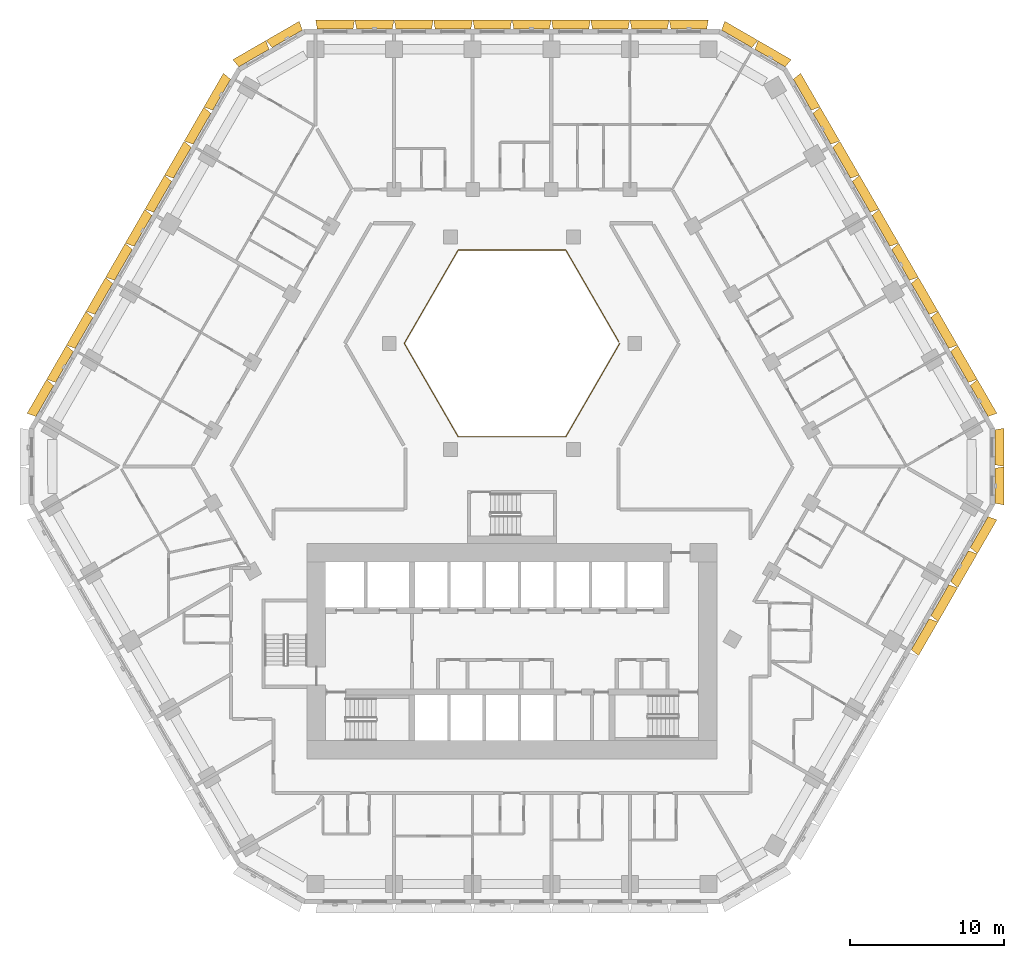
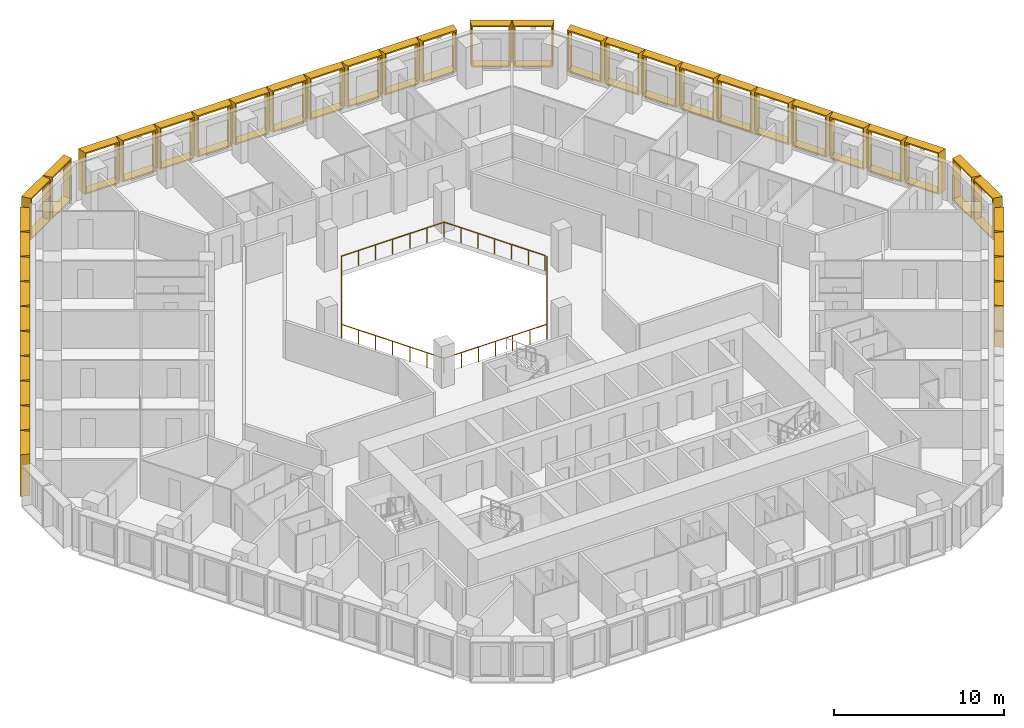
# One storey, part 21 of 21: 40 shading devices, 1 railing.
"""IFC4 building model written with IfcOpenShell, lengths in metres."""

from ifc_helpers import new_model, entity, si_unit, direction, frame, origin, origin_2d, place, context, subcontext, project, spatial, rectangle, extrude, source, transform, mapped, material, type_object, type_shapes, element, save


model = new_model("IFC4")

# Units and contexts
model_context = context("Model", 3, precision=1e-05, world=origin(), true_north=direction((0.0, 1.0)))
body_context = subcontext(model_context, "Body", "Model", "MODEL_VIEW")
ifc_project = project(units=[si_unit("LENGTHUNIT", "METRE"), si_unit("AREAUNIT", "SQUARE_METRE"), si_unit("VOLUMEUNIT", "CUBIC_METRE"), si_unit("PLANEANGLEUNIT", "RADIAN"), si_unit("MASSUNIT", "GRAM", prefix="KILO")], contexts=[model_context])

# Site, building, storey
site_placement = place(None, origin())
site = spatial("IfcSite", under=ifc_project, at=site_placement, CompositionType="ELEMENT")
building_placement = place(site_placement, origin())
building = spatial("IfcBuilding", under=site, at=building_placement, Name="Beryl Residences", CompositionType="ELEMENT")
storey_placement = place(building_placement, frame((0.0, 0.0, 29.39990234375)))
storey = spatial("IfcBuildingStorey", under=building, at=storey_placement, Name="L08", CompositionType="ELEMENT", Elevation=29.39990234375)

# Railing
ifc_material_1 = material(Name="Stainless steel balustrade with glass infill", Category="steel")
railing_type = type_object("IfcRailingType", Name="EG1 edge guard 1100 mm", PredefinedType="GUARDRAIL", material=ifc_material_1)
railing_placement = place(storey_placement, frame((6.9970703125, 8.0, 0.0)))
element("IfcRailing", 1, at=railing_placement, inside=storey, type_object=railing_type, Name="L08 atrium guard", PredefinedType="GUARDRAIL", context=body_context, shape_type="SweptSolid", body=[
    extrude(rectangle(XDim=0.048095703125, YDim=0.048095703125, at=origin_2d()), frame((0.0, 0.0, 1.076171875), z_axis=(-0.499921796684, -0.866070549782, 0.0), x_axis=(0.866070549782, -0.499921796684, 0.0)), (0.0, 0.0, 1.0), 6.9970703125),
    extrude(rectangle(XDim=0.048095703125, YDim=0.048095703125, at=origin_2d()), frame((-3.498046875, -6.06005859375, 1.076171875), z_axis=(-1.0, 0.0, 0.0), x_axis=(0.0, -1.0, 0.0)), (0.0, 0.0, 1.0), 6.998046875),
    extrude(rectangle(XDim=0.048095703125, YDim=0.048095703125, at=origin_2d()), frame((-10.49609375, -6.06005859375, 1.076171875), z_axis=(-0.499921796684, 0.866070549782, 0.0), x_axis=(-0.866070549782, -0.499921796684, 0.0)), (0.0, 0.0, 1.0), 6.9970703125),
    extrude(rectangle(XDim=0.048095703125, YDim=0.048095703125, at=origin_2d()), frame((-13.994140625, 0.0, 1.076171875), z_axis=(0.499921796684, 0.866070549782, 0.0), x_axis=(-0.866070549782, 0.499921796684, 0.0)), (0.0, 0.0, 1.0), 6.9970703125),
    extrude(rectangle(XDim=0.048095703125, YDim=0.048095703125, at=origin_2d()), frame((-10.49609375, 6.06005859375, 1.076171875), z_axis=(1.0, 0.0, 0.0), x_axis=(0.0, 1.0, 0.0)), (0.0, 0.0, 1.0), 6.998046875),
    extrude(rectangle(XDim=0.048095703125, YDim=0.048095703125, at=origin_2d()), frame((-3.498046875, 6.06005859375, 1.076171875), z_axis=(0.499919131929, -0.866072087953, 0.0), x_axis=(0.866072087953, 0.499919131929, 0.0)), (0.0, 0.0, 1.0), 6.877197265625),
    extrude(rectangle(XDim=0.0419921875, YDim=0.0419921875, at=origin_2d()), origin(), (0.0, 0.0, 1.0), 1.052001953125),
    extrude(rectangle(XDim=0.0419921875, YDim=0.0419921875, at=origin_2d()), frame((-0.5830078125, -1.010009765625, 0.0)), (0.0, 0.0, 1.0), 1.052001953125),
    extrude(rectangle(XDim=0.0419921875, YDim=0.0419921875, at=origin_2d()), frame((-1.166015625, -2.02001953125, 0.0)), (0.0, 0.0, 1.0), 1.052001953125),
    extrude(rectangle(XDim=0.0419921875, YDim=0.0419921875, at=origin_2d()), frame((-1.7490234375, -3.030029296875, 0.0)), (0.0, 0.0, 1.0), 1.052001953125),
    extrude(rectangle(XDim=0.0419921875, YDim=0.0419921875, at=origin_2d()), frame((-2.33203125, -4.0400390625, 0.0)), (0.0, 0.0, 1.0), 1.052001953125),
    extrude(rectangle(XDim=0.0419921875, YDim=0.0419921875, at=origin_2d()), frame((-2.9150390625, -5.050048828125, 0.0)), (0.0, 0.0, 1.0), 1.052001953125),
    extrude(rectangle(XDim=0.0419921875, YDim=0.0419921875, at=origin_2d()), frame((-3.498046875, -6.06005859375, 0.0)), (0.0, 0.0, 1.0), 1.052001953125),
    extrude(rectangle(XDim=0.0419921875, YDim=0.0419921875, at=origin_2d()), frame((-4.664306640625, -6.06005859375, 0.0)), (0.0, 0.0, 1.0), 1.052001953125),
    extrude(rectangle(XDim=0.0419921875, YDim=0.0419921875, at=origin_2d()), frame((-5.830810546875, -6.06005859375, 0.0)), (0.0, 0.0, 1.0), 1.052001953125),
    extrude(rectangle(XDim=0.0419921875, YDim=0.0419921875, at=origin_2d()), frame((-6.9970703125, -6.06005859375, 0.0)), (0.0, 0.0, 1.0), 1.052001953125),
    extrude(rectangle(XDim=0.0419921875, YDim=0.0419921875, at=origin_2d()), frame((-8.163330078125, -6.06005859375, 0.0)), (0.0, 0.0, 1.0), 1.052001953125),
    extrude(rectangle(XDim=0.0419921875, YDim=0.0419921875, at=origin_2d()), frame((-9.329833984375, -6.06005859375, 0.0)), (0.0, 0.0, 1.0), 1.052001953125),
    extrude(rectangle(XDim=0.0419921875, YDim=0.0419921875, at=origin_2d()), frame((-10.49609375, -6.06005859375, 0.0)), (0.0, 0.0, 1.0), 1.052001953125),
    extrude(rectangle(XDim=0.0419921875, YDim=0.0419921875, at=origin_2d()), frame((-11.0791015625, -5.050048828125, 0.0)), (0.0, 0.0, 1.0), 1.052001953125),
    extrude(rectangle(XDim=0.0419921875, YDim=0.0419921875, at=origin_2d()), frame((-11.662109375, -4.0400390625, 0.0)), (0.0, 0.0, 1.0), 1.052001953125),
    extrude(rectangle(XDim=0.0419921875, YDim=0.0419921875, at=origin_2d()), frame((-12.2451171875, -3.030029296875, 0.0)), (0.0, 0.0, 1.0), 1.052001953125),
    extrude(rectangle(XDim=0.0419921875, YDim=0.0419921875, at=origin_2d()), frame((-12.828125, -2.02001953125, 0.0)), (0.0, 0.0, 1.0), 1.052001953125),
    extrude(rectangle(XDim=0.0419921875, YDim=0.0419921875, at=origin_2d()), frame((-13.4111328125, -1.010009765625, 0.0)), (0.0, 0.0, 1.0), 1.052001953125),
    extrude(rectangle(XDim=0.0419921875, YDim=0.0419921875, at=origin_2d()), frame((-13.994140625, 0.0, 0.0)), (0.0, 0.0, 1.0), 1.052001953125),
    extrude(rectangle(XDim=0.0419921875, YDim=0.0419921875, at=origin_2d()), frame((-13.4111328125, 1.010009765625, 0.0)), (0.0, 0.0, 1.0), 1.052001953125),
    extrude(rectangle(XDim=0.0419921875, YDim=0.0419921875, at=origin_2d()), frame((-12.828125, 2.02001953125, 0.0)), (0.0, 0.0, 1.0), 1.052001953125),
    extrude(rectangle(XDim=0.0419921875, YDim=0.0419921875, at=origin_2d()), frame((-12.2451171875, 3.030029296875, 0.0)), (0.0, 0.0, 1.0), 1.052001953125),
    extrude(rectangle(XDim=0.0419921875, YDim=0.0419921875, at=origin_2d()), frame((-11.662109375, 4.0400390625, 0.0)), (0.0, 0.0, 1.0), 1.052001953125),
    extrude(rectangle(XDim=0.0419921875, YDim=0.0419921875, at=origin_2d()), frame((-11.0791015625, 5.050048828125, 0.0)), (0.0, 0.0, 1.0), 1.052001953125),
    extrude(rectangle(XDim=0.0419921875, YDim=0.0419921875, at=origin_2d()), frame((-10.49609375, 6.06005859375, 0.0)), (0.0, 0.0, 1.0), 1.052001953125),
    extrude(rectangle(XDim=0.0419921875, YDim=0.0419921875, at=origin_2d()), frame((-9.329833984375, 6.06005859375, 0.0)), (0.0, 0.0, 1.0), 1.052001953125),
    extrude(rectangle(XDim=0.0419921875, YDim=0.0419921875, at=origin_2d()), frame((-8.163330078125, 6.06005859375, 0.0)), (0.0, 0.0, 1.0), 1.052001953125),
    extrude(rectangle(XDim=0.0419921875, YDim=0.0419921875, at=origin_2d()), frame((-6.9970703125, 6.06005859375, 0.0)), (0.0, 0.0, 1.0), 1.052001953125),
    extrude(rectangle(XDim=0.0419921875, YDim=0.0419921875, at=origin_2d()), frame((-5.830810546875, 6.06005859375, 0.0)), (0.0, 0.0, 1.0), 1.052001953125),
    extrude(rectangle(XDim=0.0419921875, YDim=0.0419921875, at=origin_2d()), frame((-4.664306640625, 6.06005859375, 0.0)), (0.0, 0.0, 1.0), 1.052001953125),
    extrude(rectangle(XDim=0.0419921875, YDim=0.0419921875, at=origin_2d()), frame((-3.498046875, 6.06005859375, 0.0)), (0.0, 0.0, 1.0), 1.052001953125),
    extrude(rectangle(XDim=0.0419921875, YDim=0.0419921875, at=origin_2d()), frame((-2.925048828125, 5.0673828125, 0.0)), (0.0, 0.0, 1.0), 1.052001953125),
    extrude(rectangle(XDim=0.0419921875, YDim=0.0419921875, at=origin_2d()), frame((-2.35205078125, 4.07470703125, 0.0)), (0.0, 0.0, 1.0), 1.052001953125),
    extrude(rectangle(XDim=0.0419921875, YDim=0.0419921875, at=origin_2d()), frame((-1.779052734375, 3.08203125, 0.0)), (0.0, 0.0, 1.0), 1.052001953125),
    extrude(rectangle(XDim=0.0419921875, YDim=0.0419921875, at=origin_2d()), frame((-1.2060546875, 2.08935546875, 0.0)), (0.0, 0.0, 1.0), 1.052001953125),
    extrude(rectangle(XDim=0.0419921875, YDim=0.0419921875, at=origin_2d()), frame((-0.633056640625, 1.0966796875, 0.0)), (0.0, 0.0, 1.0), 1.052001953125),
    extrude(rectangle(XDim=0.0419921875, YDim=0.0419921875, at=origin_2d()), frame((-0.06005859375, 0.10400390625, 0.0)), (0.0, 0.0, 1.0), 1.052001953125),
])

# Shading devices
ifc_material_2 = material(Name="Aluminium pale anodised", Category="aluminium")
shading_device_type_1 = type_object("IfcShadingDeviceType", Name="FR250-60A OUTER SKIN frame 600 mm deep, splay 10/10 deg, 2500 x 3000 mm cell", PredefinedType="USERDEFINED", material=ifc_material_2)
cartesian_point_1 = entity("IfcCartesianPoint", [-1.134033203125, 0.0])
cartesian_point_2 = entity("IfcCartesianPoint", [-1.052734375, 0.10009765625])
cartesian_point_3 = entity("IfcCartesianPoint", [-1.23974609375, 0.0])
cartesian_point_4 = entity("IfcCartesianPoint", [-1.158447265625, 0.10009765625])
shared_shape_1 = source(origin(), body_context, "Body", "SweptSolid", [
    entity("IfcExtrudedAreaSolidTapered", entity("IfcArbitraryProfileDefWithVoids", "AREA", None, entity("IfcPolyline", [cartesian_point_1, entity("IfcCartesianPoint", [1.134033203125, 0.0]), entity("IfcCartesianPoint", [1.134033203125, 3.0]), entity("IfcCartesianPoint", [-1.134033203125, 3.0]), cartesian_point_1]), [entity("IfcPolyline", [cartesian_point_2, entity("IfcCartesianPoint", [1.052734375, 0.10009765625]), entity("IfcCartesianPoint", [1.052734375, 2.89990234375]), entity("IfcCartesianPoint", [-1.052734375, 2.89990234375]), cartesian_point_2])]), entity("IfcAxis2Placement3D", entity("IfcCartesianPoint", [0.0, 0.0, 0.0]), entity("IfcDirection", [0.0, 1.0, 0.0]), entity("IfcDirection", [-1.0, 0.0, 0.0])), entity("IfcDirection", [0.0, 0.0, 1.0]), 0.60009765625, entity("IfcArbitraryProfileDefWithVoids", "AREA", None, entity("IfcPolyline", [cartesian_point_3, entity("IfcCartesianPoint", [1.23974609375, 0.0]), entity("IfcCartesianPoint", [1.23974609375, 3.0]), entity("IfcCartesianPoint", [-1.23974609375, 3.0]), cartesian_point_3]), [entity("IfcPolyline", [cartesian_point_4, entity("IfcCartesianPoint", [1.158447265625, 0.10009765625]), entity("IfcCartesianPoint", [1.158447265625, 2.89990234375]), entity("IfcCartesianPoint", [-1.158447265625, 2.89990234375]), cartesian_point_4])])),
])
type_shapes(shading_device_type_1, [shared_shape_1])
for number, where, z_axis, x_axis, name in (
    (2, (-14.593017578125, 27.77490234375, 0.0), (0.0, 0.0, 1.0), (0.866025403784, 0.5, 0.0), "FR250-60A frame L08 N-NW 1"),
    (3, (-16.758056640625, 26.52490234375, 0.0), (0.0, 0.0, 1.0), (0.866025403784, 0.5, 0.0), "FR250-60A frame L08 N-NW 2"),
    (4, (31.35009765625, -1.25, 0.0), (0.0, 0.0, 1.0), (0.0, -1.0, 0.0), "FR250-60A frame L08 SE-NE 1"),
    (5, (31.35009765625, 1.25, 0.0), (0.0, 0.0, 1.0), (0.0, -1.0, 0.0), "FR250-60A frame L08 SE-NE 2"),
    (6, (16.758056640625, 26.52490234375, 0.0), (0.0, 0.0, 1.0), (0.866025403784, -0.5, 0.0), "FR250-60A frame L08 NE-N 1"),
    (7, (14.593017578125, 27.77490234375, 0.0), (0.0, 0.0, 1.0), (0.866025403784, -0.5, 0.0), "FR250-60A frame L08 NE-N 2"),
):
    element("IfcShadingDevice", number, at=place(storey_placement, frame(where, z_axis=z_axis, x_axis=x_axis)), inside=storey, type_object=shading_device_type_1, Name=name, ObjectType="OUTER SKIN", PredefinedType="USERDEFINED", context=body_context, shape_type="MappedRepresentation", body=[
        mapped(shared_shape_1, transform((0.0, 0.0, 0.0))),
    ])
ifc_material_3 = material(Name="Aluminium pale anodised", Category="aluminium")
shading_device_type_2 = type_object("IfcShadingDeviceType", Name="FR255-60A OUTER SKIN frame 600 mm deep, splay 10/10 deg, 2550 x 3000 mm cell", PredefinedType="USERDEFINED", material=ifc_material_3)
cartesian_point_5 = entity("IfcCartesianPoint", [-1.158935546875, 0.0])
cartesian_point_6 = entity("IfcCartesianPoint", [-1.077880859375, 0.10009765625])
cartesian_point_7 = entity("IfcCartesianPoint", [-1.264892578125, 0.0])
cartesian_point_8 = entity("IfcCartesianPoint", [-1.18359375, 0.10009765625])
shared_shape_2 = source(origin(), body_context, "Body", "SweptSolid", [
    entity("IfcExtrudedAreaSolidTapered", entity("IfcArbitraryProfileDefWithVoids", "AREA", None, entity("IfcPolyline", [cartesian_point_5, entity("IfcCartesianPoint", [1.158935546875, 0.0]), entity("IfcCartesianPoint", [1.158935546875, 3.0]), entity("IfcCartesianPoint", [-1.158935546875, 3.0]), cartesian_point_5]), [entity("IfcPolyline", [cartesian_point_6, entity("IfcCartesianPoint", [1.077880859375, 0.10009765625]), entity("IfcCartesianPoint", [1.077880859375, 2.89990234375]), entity("IfcCartesianPoint", [-1.077880859375, 2.89990234375]), cartesian_point_6])]), entity("IfcAxis2Placement3D", entity("IfcCartesianPoint", [0.0, 0.0, 0.0]), entity("IfcDirection", [0.0, 1.0, 0.0]), entity("IfcDirection", [-1.0, 0.0, 0.0])), entity("IfcDirection", [0.0, 0.0, 1.0]), 0.60009765625, entity("IfcArbitraryProfileDefWithVoids", "AREA", None, entity("IfcPolyline", [cartesian_point_7, entity("IfcCartesianPoint", [1.264892578125, 0.0]), entity("IfcCartesianPoint", [1.264892578125, 3.0]), entity("IfcCartesianPoint", [-1.264892578125, 3.0]), cartesian_point_7]), [entity("IfcPolyline", [cartesian_point_8, entity("IfcCartesianPoint", [1.18359375, 0.10009765625]), entity("IfcCartesianPoint", [1.18359375, 2.89990234375]), entity("IfcCartesianPoint", [-1.18359375, 2.89990234375]), cartesian_point_8])])),
])
type_shapes(shading_device_type_2, [shared_shape_2])
for number, where, z_axis, x_axis, name in (
    (8, (11.48291015625, 28.39990234375, 0.0), (0.0, 0.0, 1.0), (1.0, 0.0, 0.0), "FR255-60A frame L08 N 1"),
    (9, (8.930908203125, 28.39990234375, 0.0), (0.0, 0.0, 1.0), (1.0, 0.0, 0.0), "FR255-60A frame L08 N 2"),
    (10, (6.37890625, 28.39990234375, 0.0), (0.0, 0.0, 1.0), (1.0, 0.0, 0.0), "FR255-60A frame L08 N 3"),
    (11, (3.826904296875, 28.39990234375, 0.0), (0.0, 0.0, 1.0), (1.0, 0.0, 0.0), "FR255-60A frame L08 N 4"),
    (12, (1.27490234375, 28.39990234375, 0.0), (0.0, 0.0, 1.0), (1.0, 0.0, 0.0), "FR255-60A frame L08 N 5"),
    (13, (-1.277099609375, 28.39990234375, 0.0), (0.0, 0.0, 1.0), (1.0, 0.0, 0.0), "FR255-60A frame L08 N 6"),
    (14, (-3.8291015625, 28.39990234375, 0.0), (0.0, 0.0, 1.0), (1.0, 0.0, 0.0), "FR255-60A frame L08 N 7"),
    (15, (-6.381103515625, 28.39990234375, 0.0), (0.0, 0.0, 1.0), (1.0, 0.0, 0.0), "FR255-60A frame L08 N 8"),
    (16, (-8.93310546875, 28.39990234375, 0.0), (0.0, 0.0, 1.0), (1.0, 0.0, 0.0), "FR255-60A frame L08 N 9"),
    (17, (-11.485107421875, 28.39990234375, 0.0), (0.0, 0.0, 1.0), (1.0, 0.0, 0.0), "FR255-60A frame L08 N 10"),
    (18, (-18.85400390625, 24.14501953125, 0.0), (0.0, 0.0, 1.0), (0.5, 0.866025403784, 0.0), "FR255-60A frame L08 NW 1"),
    (19, (-20.1298828125, 21.93505859375, 0.0), (0.0, 0.0, 1.0), (0.5, 0.866025403784, 0.0), "FR255-60A frame L08 NW 2"),
    (20, (-21.406005859375, 19.72412109375, 0.0), (0.0, 0.0, 1.0), (0.5, 0.866025403784, 0.0), "FR255-60A frame L08 NW 3"),
    (21, (-22.681884765625, 17.513916015625, 0.0), (0.0, 0.0, 1.0), (0.5, 0.866025403784, 0.0), "FR255-60A frame L08 NW 4"),
    (22, (-23.9580078125, 15.303955078125, 0.0), (0.0, 0.0, 1.0), (0.5, 0.866025403784, 0.0), "FR255-60A frame L08 NW 5"),
    (23, (-25.23291015625, 13.093994140625, 0.0), (0.0, 0.0, 1.0), (0.5, 0.866025403784, 0.0), "FR255-60A frame L08 NW 6"),
    (24, (-26.509033203125, 10.884033203125, 0.0), (0.0, 0.0, 1.0), (0.5, 0.866025403784, 0.0), "FR255-60A frame L08 NW 7"),
    (25, (-27.784912109375, 8.674072265625, 0.0), (0.0, 0.0, 1.0), (0.5, 0.866025403784, 0.0), "FR255-60A frame L08 NW 8"),
    (26, (-29.06103515625, 6.464111328125, 0.0), (0.0, 0.0, 1.0), (0.5, 0.866025403784, 0.0), "FR255-60A frame L08 NW 9"),
    (27, (-30.3369140625, 4.25390625, 0.0), (0.0, 0.0, 1.0), (0.5, 0.866025403784, 0.0), "FR255-60A frame L08 NW 10"),
    (28, (26.509033203125, -10.884033203125, 0.0), (0.0, 0.0, 1.0), (-0.5, -0.866025403784, 0.0), "FR255-60A frame L08 SE 7"),
    (29, (27.784912109375, -8.674072265625, 0.0), (0.0, 0.0, 1.0), (-0.5, -0.866025403784, 0.0), "FR255-60A frame L08 SE 8"),
    (30, (29.06103515625, -6.464111328125, 0.0), (0.0, 0.0, 1.0), (-0.5, -0.866025403784, 0.0), "FR255-60A frame L08 SE 9"),
    (31, (30.3369140625, -4.25390625, 0.0), (0.0, 0.0, 1.0), (-0.5, -0.866025403784, 0.0), "FR255-60A frame L08 SE 10"),
    (32, (30.3359375, 4.2548828125, 0.0), (0.0, 0.0, 1.0), (0.5, -0.866025403784, 0.0), "FR255-60A frame L08 NE 1"),
    (33, (29.06005859375, 6.465087890625, 0.0), (0.0, 0.0, 1.0), (0.5, -0.866025403784, 0.0), "FR255-60A frame L08 NE 2"),
    (34, (27.783935546875, 8.676025390625, 0.0), (0.0, 0.0, 1.0), (0.5, -0.866025403784, 0.0), "FR255-60A frame L08 NE 3"),
    (35, (26.508056640625, 10.885986328125, 0.0), (0.0, 0.0, 1.0), (0.5, -0.866025403784, 0.0), "FR255-60A frame L08 NE 4"),
    (36, (25.23193359375, 13.095947265625, 0.0), (0.0, 0.0, 1.0), (0.5, -0.866025403784, 0.0), "FR255-60A frame L08 NE 5"),
    (37, (23.95703125, 15.305908203125, 0.0), (0.0, 0.0, 1.0), (0.5, -0.866025403784, 0.0), "FR255-60A frame L08 NE 6"),
    (38, (22.680908203125, 17.51611328125, 0.0), (0.0, 0.0, 1.0), (0.5, -0.866025403784, 0.0), "FR255-60A frame L08 NE 7"),
    (39, (21.405029296875, 19.72607421875, 0.0), (0.0, 0.0, 1.0), (0.5, -0.866025403784, 0.0), "FR255-60A frame L08 NE 8"),
    (40, (20.12890625, 21.93603515625, 0.0), (0.0, 0.0, 1.0), (0.5, -0.866025403784, 0.0), "FR255-60A frame L08 NE 9"),
    (41, (18.85302734375, 24.14599609375, 0.0), (0.0, 0.0, 1.0), (0.5, -0.866025403784, 0.0), "FR255-60A frame L08 NE 10"),
):
    element("IfcShadingDevice", number, at=place(storey_placement, frame(where, z_axis=z_axis, x_axis=x_axis)), inside=storey, type_object=shading_device_type_2, Name=name, ObjectType="OUTER SKIN", PredefinedType="USERDEFINED", context=body_context, shape_type="MappedRepresentation", body=[
        mapped(shared_shape_2, transform((0.0, 0.0, 0.0))),
    ])

save(model, "model.ifc")
